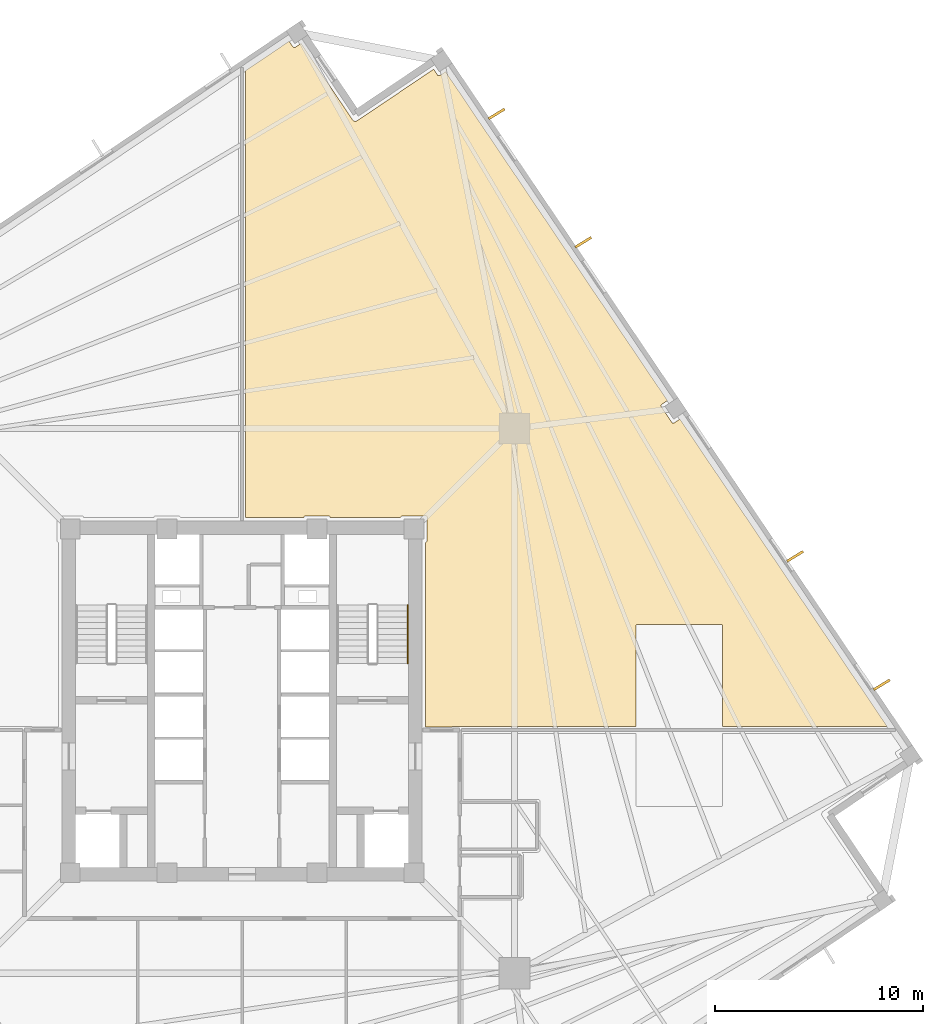
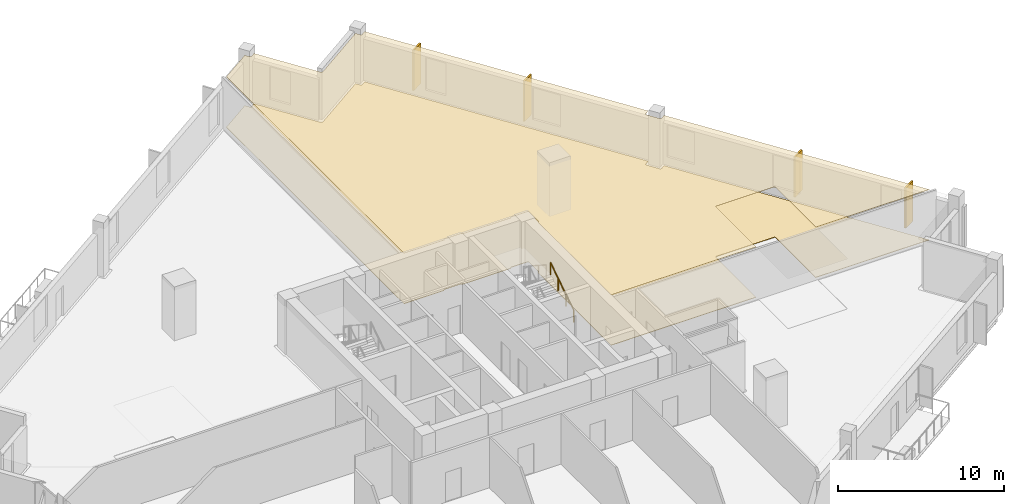
# One storey, part 8 of 8: 6 coverings, 1 railing.
"""IFC4 building model written with IfcOpenShell, lengths in metres."""

from ifc_helpers import new_model, si_unit, direction, frame, origin, origin_2d, place, context, subcontext, project, spatial, polyline, rectangle, circle, outline, extrude, source, transform, mapped, material, layer, layer_set, type_object, element, save


model = new_model("IFC4")

# Units and contexts
model_context = context("Model", 3, precision=1e-05, world=origin(), true_north=direction((0.0, 1.0)))
body_context = subcontext(model_context, "Body", "Model", "MODEL_VIEW")
ifc_project = project(units=[si_unit("LENGTHUNIT", "METRE"), si_unit("AREAUNIT", "SQUARE_METRE"), si_unit("VOLUMEUNIT", "CUBIC_METRE"), si_unit("PLANEANGLEUNIT", "RADIAN"), si_unit("MASSUNIT", "GRAM", prefix="KILO"), si_unit("THERMODYNAMICTEMPERATUREUNIT", "KELVIN")], contexts=[model_context])

# Site, building, storey
site_placement = place(None, origin())
site = spatial("IfcSite", under=ifc_project, at=site_placement, CompositionType="ELEMENT")
building_placement = place(site_placement, origin())
building = spatial("IfcBuilding", under=site, at=building_placement, Name="Kosmvard Interchange Tower", CompositionType="ELEMENT")
storey_placement = place(building_placement, frame((0.0, 0.0, 148.39990234375)))
storey = spatial("IfcBuildingStorey", under=building, at=storey_placement, Name="L35", CompositionType="ELEMENT", Elevation=148.39990234375)

# Coverings
ifc_material_1 = material(Name="Acoustic gypsum ceiling tile")
ifc_layer_1 = layer(ifc_material_1, 0.02490234375, Name="Acoustic gypsum ceiling tile")
ifc_layer_set_1 = layer_set([ifc_layer_1], Name="Acoustic gypsum ceiling tile")
covering_type_1 = type_object("IfcCoveringType", Name="Acoustic Perforated Suspended Ceiling 25", PredefinedType="CEILING", material=ifc_layer_set_1)
covering_1_placement = place(storey_placement, frame((0.0, 0.0, 3.715087890625)))
element("IfcCovering", 1, at=covering_1_placement, inside=storey, type_object=covering_type_1, Name="L35 Acoustic Ceiling L35-OPNE", PredefinedType="CEILING", context=body_context, shape_type="SweptSolid", body=[
    extrude(outline(polyline([(5.39208984375, 27.83935546875), (5.385009765625, 27.841796875), (5.377685546875, 27.844970703125), (5.37109375, 27.847900390625), (5.3642578125, 27.8515625), (5.35791015625, 27.85546875), (5.351318359375, 27.859619140625), (5.345458984375, 27.864013671875), (5.33935546875, 27.869140625), (5.333740234375, 27.8740234375), (5.328369140625, 27.87939453125), (5.3232421875, 27.884765625), (5.318115234375, 27.890869140625), (5.313720703125, 27.89697265625), (5.3115234375, 27.900146484375), (2.834228515625, 31.57275390625), (2.556640625, 31.38525390625), (2.5498046875, 31.38134765625), (2.542724609375, 31.3779296875), (2.535400390625, 31.375244140625), (2.52783203125, 31.373291015625), (2.52001953125, 31.3720703125), (2.51220703125, 31.37158203125), (2.50439453125, 31.3720703125), (2.49658203125, 31.373046875), (2.489013671875, 31.375), (2.481689453125, 31.377685546875), (2.474365234375, 31.380859375), (2.4677734375, 31.385009765625), (2.46142578125, 31.3896484375), (2.45556640625, 31.394775390625), (2.4501953125, 31.400634765625), (2.445556640625, 31.406982421875), (2.25830078125, 31.6845703125), (0.159912109375, 30.269287109375), (0.159912109375, 8.804931640625), (2.965087890625, 8.804931640625), (2.96533203125, 8.812744140625), (2.966552734375, 8.820556640625), (2.968505859375, 8.828125), (2.97119140625, 8.835693359375), (2.974365234375, 8.8427734375), (2.978515625, 8.849365234375), (2.983154296875, 8.855712890625), (2.988525390625, 8.861572265625), (2.994140625, 8.866943359375), (3.00048828125, 8.87158203125), (3.00732421875, 8.87548828125), (3.014404296875, 8.87890625), (3.021728515625, 8.881591796875), (3.029296875, 8.883544921875), (3.037109375, 8.884521484375), (3.044921875, 8.885009765625), (4.155029296875, 8.885009765625), (4.162841796875, 8.884521484375), (4.170654296875, 8.883544921875), (4.17822265625, 8.881591796875), (4.185546875, 8.87890625), (4.192626953125, 8.87548828125), (4.199462890625, 8.87158203125), (4.205810546875, 8.866943359375), (4.211669921875, 8.861572265625), (4.216796875, 8.855712890625), (4.221435546875, 8.849365234375), (4.2255859375, 8.8427734375), (4.22900390625, 8.835693359375), (4.2314453125, 8.828125), (4.2333984375, 8.820556640625), (4.234619140625, 8.812744140625), (4.235107421875, 8.804931640625), (7.614990234375, 8.804931640625), (7.615478515625, 8.812744140625), (7.616455078125, 8.820556640625), (7.618408203125, 8.828125), (7.62109375, 8.835693359375), (7.62451171875, 8.8427734375), (7.62841796875, 8.849365234375), (7.633056640625, 8.855712890625), (7.638427734375, 8.861572265625), (7.644287109375, 8.866943359375), (7.650634765625, 8.87158203125), (7.6572265625, 8.87548828125), (7.664306640625, 8.87890625), (7.671875, 8.881591796875), (7.679443359375, 8.883544921875), (7.687255859375, 8.884521484375), (7.695068359375, 8.885009765625), (8.804931640625, 8.885009765625), (8.812744140625, 8.884521484375), (8.820556640625, 8.883544921875), (8.828125, 8.881591796875), (8.835693359375, 8.87890625), (8.8427734375, 8.87548828125), (8.849365234375, 8.87158203125), (8.855712890625, 8.866943359375), (8.861572265625, 8.861572265625), (8.866943359375, 8.855712890625), (8.87158203125, 8.849365234375), (8.87548828125, 8.8427734375), (8.87890625, 8.835693359375), (8.881591796875, 8.828125), (8.883544921875, 8.820556640625), (8.884521484375, 8.812744140625), (8.885009765625, 8.804931640625), (8.885009765625, 7.695068359375), (8.884521484375, 7.687255859375), (8.883544921875, 7.679443359375), (8.881591796875, 7.671875), (8.87890625, 7.664306640625), (8.87548828125, 7.6572265625), (8.87158203125, 7.650634765625), (8.866943359375, 7.644287109375), (8.861572265625, 7.638427734375), (8.855712890625, 7.633056640625), (8.849365234375, 7.62841796875), (8.8427734375, 7.62451171875), (8.835693359375, 7.62109375), (8.828125, 7.618408203125), (8.820556640625, 7.616455078125), (8.812744140625, 7.615478515625), (8.804931640625, 7.614990234375), (8.804931640625, -1.2451171875), (10.061279296875, -1.2451171875), (10.06591796875, -1.243896484375), (10.07373046875, -1.242431640625), (10.080810546875, -1.2412109375), (10.088623046875, -1.240478515625), (10.09619140625, -1.239990234375), (10.10009765625, -1.239990234375), (18.919921875, -1.239990234375), (18.919921875, 3.60009765625), (18.92041015625, 3.60791015625), (18.921630859375, 3.61572265625), (18.92333984375, 3.623291015625), (18.926025390625, 3.630615234375), (18.929443359375, 3.6376953125), (18.93359375, 3.64453125), (18.938232421875, 3.650634765625), (18.943359375, 3.656494140625), (18.94921875, 3.661865234375), (18.95556640625, 3.66650390625), (18.96240234375, 3.670654296875), (18.969482421875, 3.673828125), (18.976806640625, 3.676513671875), (18.984375, 3.678466796875), (18.9921875, 3.6796875), (19.0, 3.679931640625), (23.0, 3.679931640625), (23.0078125, 3.6796875), (23.015625, 3.678466796875), (23.023193359375, 3.676513671875), (23.030517578125, 3.673828125), (23.03759765625, 3.670654296875), (23.04443359375, 3.66650390625), (23.05078125, 3.661865234375), (23.056640625, 3.656494140625), (23.061767578125, 3.650634765625), (23.06640625, 3.64453125), (23.070556640625, 3.6376953125), (23.073974609375, 3.630615234375), (23.07666015625, 3.623291015625), (23.078369140625, 3.61572265625), (23.07958984375, 3.60791015625), (23.080078125, 3.60009765625), (23.080078125, -1.239990234375), (30.997802734375, -1.239990234375), (21.029296875, 13.5390625), (20.75146484375, 13.351806640625), (20.744873046875, 13.34765625), (20.73779296875, 13.34423828125), (20.73046875, 13.341552734375), (20.72265625, 13.339599609375), (20.715087890625, 13.33837890625), (20.70703125, 13.338134765625), (20.69921875, 13.33837890625), (20.69140625, 13.339599609375), (20.683837890625, 13.34130859375), (20.676513671875, 13.343994140625), (20.66943359375, 13.347412109375), (20.66259765625, 13.351318359375), (20.65625, 13.35595703125), (20.650390625, 13.361328125), (20.645263671875, 13.366943359375), (20.640380859375, 13.373291015625), (20.131591796875, 14.127685546875), (20.12744140625, 14.134521484375), (20.124267578125, 14.1416015625), (20.12158203125, 14.14892578125), (20.11962890625, 14.156494140625), (20.118408203125, 14.164306640625), (20.117919921875, 14.172119140625), (20.1181640625, 14.179931640625), (20.119384765625, 14.187744140625), (20.121337890625, 14.1953125), (20.123779296875, 14.202880859375), (20.127197265625, 14.2099609375), (20.131103515625, 14.216552734375), (20.1357421875, 14.222900390625), (20.14111328125, 14.228759765625), (20.14697265625, 14.234130859375), (20.153076171875, 14.23876953125), (20.430908203125, 14.42626953125), (9.775390625, 30.223388671875), (9.497802734375, 30.0361328125), (9.490966796875, 30.031982421875), (9.48388671875, 30.028564453125), (9.4765625, 30.02587890625), (9.468994140625, 30.024169921875), (9.461181640625, 30.02294921875), (9.453369140625, 30.0224609375), (9.445556640625, 30.022705078125), (9.437744140625, 30.02392578125), (9.43017578125, 30.02587890625), (9.4228515625, 30.0283203125), (9.41552734375, 30.03173828125), (9.408935546875, 30.03564453125), (9.402587890625, 30.040283203125), (9.396728515625, 30.045654296875), (9.391357421875, 30.051513671875), (9.38671875, 30.0576171875), (9.199462890625, 30.33544921875), (5.52685546875, 27.858154296875), (5.5234375, 27.856201171875), (5.51708984375, 27.852294921875), (5.51025390625, 27.8486328125), (5.503662109375, 27.845458984375), (5.496337890625, 27.84228515625), (5.489501953125, 27.83984375), (5.48193359375, 27.837646484375), (5.474853515625, 27.835693359375), (5.467041015625, 27.834228515625), (5.459716796875, 27.8330078125), (5.451904296875, 27.832275390625), (5.444580078125, 27.831787109375), (5.436767578125, 27.831787109375), (5.429443359375, 27.83203125), (5.421630859375, 27.832763671875), (5.41455078125, 27.833984375), (5.40673828125, 27.83544921875), (5.3994140625, 27.837158203125), (5.39208984375, 27.83935546875)])), origin(), (0.0, 0.0, 1.0), 0.02490234375),
])
ifc_material_2 = material(Name="Polished terrazzo flooring")
ifc_layer_2 = layer(ifc_material_2, 0.030029296875, Name="Polished terrazzo flooring")
ifc_layer_set_2 = layer_set([ifc_layer_2], Name="Polished terrazzo flooring")
covering_type_2 = type_object("IfcCoveringType", Name="Heavy-Duty Terrazzo & Porcelain Flooring 30", PredefinedType="FLOORING", material=ifc_layer_set_2)
covering_2_placement = place(storey_placement, origin())
element("IfcCovering", 2, at=covering_2_placement, inside=storey, type_object=covering_type_2, Name="L35 Floor Finish L35-OPNE", PredefinedType="FLOORING", context=body_context, shape_type="SweptSolid", body=[
    extrude(outline(polyline([(5.39208984375, 27.83935546875), (5.385009765625, 27.841796875), (5.377685546875, 27.844970703125), (5.37109375, 27.847900390625), (5.3642578125, 27.8515625), (5.35791015625, 27.85546875), (5.351318359375, 27.859619140625), (5.345458984375, 27.864013671875), (5.33935546875, 27.869140625), (5.333740234375, 27.8740234375), (5.328369140625, 27.87939453125), (5.3232421875, 27.884765625), (5.318115234375, 27.890869140625), (5.313720703125, 27.89697265625), (5.3115234375, 27.900146484375), (2.834228515625, 31.57275390625), (2.556640625, 31.38525390625), (2.5498046875, 31.38134765625), (2.542724609375, 31.3779296875), (2.535400390625, 31.375244140625), (2.52783203125, 31.373291015625), (2.52001953125, 31.3720703125), (2.51220703125, 31.37158203125), (2.50439453125, 31.3720703125), (2.49658203125, 31.373046875), (2.489013671875, 31.375), (2.481689453125, 31.377685546875), (2.474365234375, 31.380859375), (2.4677734375, 31.385009765625), (2.46142578125, 31.3896484375), (2.45556640625, 31.394775390625), (2.4501953125, 31.400634765625), (2.445556640625, 31.406982421875), (2.25830078125, 31.6845703125), (0.159912109375, 30.269287109375), (0.159912109375, 8.804931640625), (2.965087890625, 8.804931640625), (2.96533203125, 8.812744140625), (2.966552734375, 8.820556640625), (2.968505859375, 8.828125), (2.97119140625, 8.835693359375), (2.974365234375, 8.8427734375), (2.978515625, 8.849365234375), (2.983154296875, 8.855712890625), (2.988525390625, 8.861572265625), (2.994140625, 8.866943359375), (3.00048828125, 8.87158203125), (3.00732421875, 8.87548828125), (3.014404296875, 8.87890625), (3.021728515625, 8.881591796875), (3.029296875, 8.883544921875), (3.037109375, 8.884521484375), (3.044921875, 8.885009765625), (4.155029296875, 8.885009765625), (4.162841796875, 8.884521484375), (4.170654296875, 8.883544921875), (4.17822265625, 8.881591796875), (4.185546875, 8.87890625), (4.192626953125, 8.87548828125), (4.199462890625, 8.87158203125), (4.205810546875, 8.866943359375), (4.211669921875, 8.861572265625), (4.216796875, 8.855712890625), (4.221435546875, 8.849365234375), (4.2255859375, 8.8427734375), (4.22900390625, 8.835693359375), (4.2314453125, 8.828125), (4.2333984375, 8.820556640625), (4.234619140625, 8.812744140625), (4.235107421875, 8.804931640625), (7.614990234375, 8.804931640625), (7.615478515625, 8.812744140625), (7.616455078125, 8.820556640625), (7.618408203125, 8.828125), (7.62109375, 8.835693359375), (7.62451171875, 8.8427734375), (7.62841796875, 8.849365234375), (7.633056640625, 8.855712890625), (7.638427734375, 8.861572265625), (7.644287109375, 8.866943359375), (7.650634765625, 8.87158203125), (7.6572265625, 8.87548828125), (7.664306640625, 8.87890625), (7.671875, 8.881591796875), (7.679443359375, 8.883544921875), (7.687255859375, 8.884521484375), (7.695068359375, 8.885009765625), (8.804931640625, 8.885009765625), (8.812744140625, 8.884521484375), (8.820556640625, 8.883544921875), (8.828125, 8.881591796875), (8.835693359375, 8.87890625), (8.8427734375, 8.87548828125), (8.849365234375, 8.87158203125), (8.855712890625, 8.866943359375), (8.861572265625, 8.861572265625), (8.866943359375, 8.855712890625), (8.87158203125, 8.849365234375), (8.87548828125, 8.8427734375), (8.87890625, 8.835693359375), (8.881591796875, 8.828125), (8.883544921875, 8.820556640625), (8.884521484375, 8.812744140625), (8.885009765625, 8.804931640625), (8.885009765625, 7.695068359375), (8.884521484375, 7.687255859375), (8.883544921875, 7.679443359375), (8.881591796875, 7.671875), (8.87890625, 7.664306640625), (8.87548828125, 7.6572265625), (8.87158203125, 7.650634765625), (8.866943359375, 7.644287109375), (8.861572265625, 7.638427734375), (8.855712890625, 7.633056640625), (8.849365234375, 7.62841796875), (8.8427734375, 7.62451171875), (8.835693359375, 7.62109375), (8.828125, 7.618408203125), (8.820556640625, 7.616455078125), (8.812744140625, 7.615478515625), (8.804931640625, 7.614990234375), (8.804931640625, -1.2451171875), (10.061279296875, -1.2451171875), (10.06591796875, -1.243896484375), (10.07373046875, -1.242431640625), (10.080810546875, -1.2412109375), (10.088623046875, -1.240478515625), (10.09619140625, -1.239990234375), (10.10009765625, -1.239990234375), (18.919921875, -1.239990234375), (18.919921875, 3.60009765625), (18.92041015625, 3.60791015625), (18.921630859375, 3.61572265625), (18.92333984375, 3.623291015625), (18.926025390625, 3.630615234375), (18.929443359375, 3.6376953125), (18.93359375, 3.64453125), (18.938232421875, 3.650634765625), (18.943359375, 3.656494140625), (18.94921875, 3.661865234375), (18.95556640625, 3.66650390625), (18.96240234375, 3.670654296875), (18.969482421875, 3.673828125), (18.976806640625, 3.676513671875), (18.984375, 3.678466796875), (18.9921875, 3.6796875), (19.0, 3.679931640625), (23.0, 3.679931640625), (23.0078125, 3.6796875), (23.015625, 3.678466796875), (23.023193359375, 3.676513671875), (23.030517578125, 3.673828125), (23.03759765625, 3.670654296875), (23.04443359375, 3.66650390625), (23.05078125, 3.661865234375), (23.056640625, 3.656494140625), (23.061767578125, 3.650634765625), (23.06640625, 3.64453125), (23.070556640625, 3.6376953125), (23.073974609375, 3.630615234375), (23.07666015625, 3.623291015625), (23.078369140625, 3.61572265625), (23.07958984375, 3.60791015625), (23.080078125, 3.60009765625), (23.080078125, -1.239990234375), (30.997802734375, -1.239990234375), (21.029296875, 13.5390625), (20.75146484375, 13.351806640625), (20.744873046875, 13.34765625), (20.73779296875, 13.34423828125), (20.73046875, 13.341552734375), (20.72265625, 13.339599609375), (20.715087890625, 13.33837890625), (20.70703125, 13.338134765625), (20.69921875, 13.33837890625), (20.69140625, 13.339599609375), (20.683837890625, 13.34130859375), (20.676513671875, 13.343994140625), (20.66943359375, 13.347412109375), (20.66259765625, 13.351318359375), (20.65625, 13.35595703125), (20.650390625, 13.361328125), (20.645263671875, 13.366943359375), (20.640380859375, 13.373291015625), (20.131591796875, 14.127685546875), (20.12744140625, 14.134521484375), (20.124267578125, 14.1416015625), (20.12158203125, 14.14892578125), (20.11962890625, 14.156494140625), (20.118408203125, 14.164306640625), (20.117919921875, 14.172119140625), (20.1181640625, 14.179931640625), (20.119384765625, 14.187744140625), (20.121337890625, 14.1953125), (20.123779296875, 14.202880859375), (20.127197265625, 14.2099609375), (20.131103515625, 14.216552734375), (20.1357421875, 14.222900390625), (20.14111328125, 14.228759765625), (20.14697265625, 14.234130859375), (20.153076171875, 14.23876953125), (20.430908203125, 14.42626953125), (9.775390625, 30.223388671875), (9.497802734375, 30.0361328125), (9.490966796875, 30.031982421875), (9.48388671875, 30.028564453125), (9.4765625, 30.02587890625), (9.468994140625, 30.024169921875), (9.461181640625, 30.02294921875), (9.453369140625, 30.0224609375), (9.445556640625, 30.022705078125), (9.437744140625, 30.02392578125), (9.43017578125, 30.02587890625), (9.4228515625, 30.0283203125), (9.41552734375, 30.03173828125), (9.408935546875, 30.03564453125), (9.402587890625, 30.040283203125), (9.396728515625, 30.045654296875), (9.391357421875, 30.051513671875), (9.38671875, 30.0576171875), (9.199462890625, 30.33544921875), (5.52685546875, 27.858154296875), (5.5234375, 27.856201171875), (5.51708984375, 27.852294921875), (5.51025390625, 27.8486328125), (5.503662109375, 27.845458984375), (5.496337890625, 27.84228515625), (5.489501953125, 27.83984375), (5.48193359375, 27.837646484375), (5.474853515625, 27.835693359375), (5.467041015625, 27.834228515625), (5.459716796875, 27.8330078125), (5.451904296875, 27.832275390625), (5.444580078125, 27.831787109375), (5.436767578125, 27.831787109375), (5.429443359375, 27.83203125), (5.421630859375, 27.832763671875), (5.41455078125, 27.833984375), (5.40673828125, 27.83544921875), (5.3994140625, 27.837158203125), (5.39208984375, 27.83935546875)])), origin(), (0.0, 0.0, 1.0), 0.030029296875),
])
ifc_material_3 = material(Name="Architectural anodised aluminium", Category="aluminium")
ifc_layer_3 = layer(ifc_material_3, 0.1201171875, Name="Architectural anodised aluminium")
ifc_layer_set_3 = layer_set([ifc_layer_3], Name="Architectural anodised aluminium")
covering_type_3 = type_object("IfcCoveringType", Name="Rotating Vertical Sun-Breaker Fin 900x120 Aluminium", PredefinedType="CLADDING", material=ifc_layer_set_3)
shared_shape_1 = source(origin(), body_context, "Body", "SweptSolid", [
    extrude(rectangle(XDim=0.89990234375, YDim=0.1201171875, at=origin_2d()), origin(), (0.0, 0.0, 1.0), 2.9599609375),
])
for number, where, z_axis, x_axis, name in (
    (3, (30.718994140625, 0.774169921875, 0.0400390625), (0.0, 0.0, 1.0), (0.852457726006, 0.522796160442, 0.0), "L35 Rotating Vertical Sun-Breaker Fin 05"),
    (4, (26.557861328125, 6.943115234375, 0.0400390625), (0.0, 0.0, 1.0), (0.852457726006, 0.522796160442, 0.0), "L35 Rotating Vertical Sun-Breaker Fin 06"),
    (5, (16.38623046875, 22.02294921875, 0.0400390625), (0.0, 0.0, 1.0), (0.852457726006, 0.522796160442, 0.0), "L35 Rotating Vertical Sun-Breaker Fin 07"),
    (6, (12.225341796875, 28.192138671875, 0.0400390625), (0.0, 0.0, 1.0), (0.852457726006, 0.522796160442, 0.0), "L35 Rotating Vertical Sun-Breaker Fin 08"),
):
    element("IfcCovering", number, at=place(storey_placement, frame(where, z_axis=z_axis, x_axis=x_axis)), inside=storey, type_object=covering_type_3, Name=name, PredefinedType="CLADDING", context=body_context, shape_type="MappedRepresentation", body=[
        mapped(shared_shape_1, transform((0.0, 0.0, 0.0), scale=1.0)),
    ])

# Railing
ifc_material_4 = material(Name="Steel S355", Category="steel")
railing_type = type_object("IfcRailingType", Name="Wall-Mounted Stair Handrail 900 Steel", PredefinedType="HANDRAIL", material=ifc_material_4)
shared_shape_2 = source(origin(), body_context, "Body", "SweptSolid", [
    extrude(circle(Radius=0.02392578125, at=origin_2d()), frame((0.0, 0.0, 0.8759765625), z_axis=(0.0, 0.838705829183, 0.544584733623), x_axis=(-1.0, 0.0, 0.0)), (0.0, 0.0, 1.0), 3.338623046875),
    extrude(circle(Radius=0.02099609375, at=origin_2d()), origin(), (0.0, 0.0, 1.0), 0.851806640625),
    extrude(circle(Radius=0.02099609375, at=origin_2d()), frame((0.0, 0.933349609375, 0.60595703125)), (0.0, 0.0, 1.0), 0.851806640625),
    extrude(circle(Radius=0.02099609375, at=origin_2d()), frame((0.0, 1.86669921875, 1.212158203125)), (0.0, 0.0, 1.0), 0.851806640625),
    extrude(circle(Radius=0.02099609375, at=origin_2d()), frame((0.0, 2.800048828125, 1.818115234375)), (0.0, 0.0, 1.0), 0.851806640625),
])
railing_placement = place(storey_placement, frame((7.949951171875, 1.800048828125, 0.181884765625)))
element("IfcRailing", 7, at=railing_placement, inside=storey, type_object=railing_type, Name="L35 ST-2 stair handrail 1", PredefinedType="HANDRAIL", context=body_context, shape_type="MappedRepresentation", body=[
    mapped(shared_shape_2, transform((0.0, 0.0, 0.0), scale=1.0)),
])

save(model, "model.ifc")
